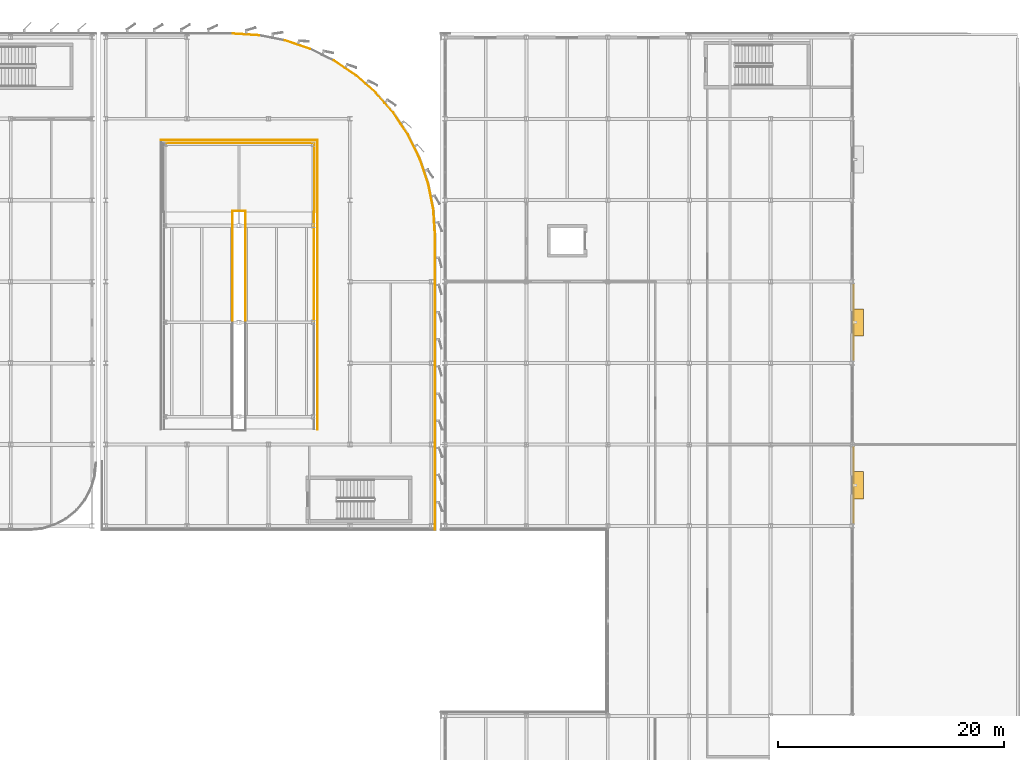
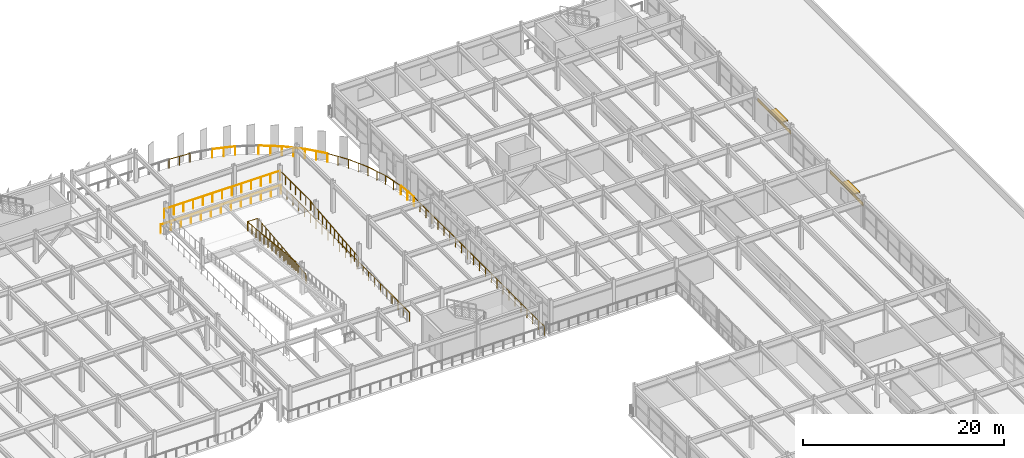
# One storey, part 76 of 80: 22 railings, 2 coverings, 2 shading devices.
"""IFC4 building model written with IfcOpenShell, lengths in metres."""

from ifc_helpers import new_model, si_unit, direction, frame, origin, origin_2d, place, context, subcontext, project, spatial, rectangle, circle, extrude, material, layer, layer_set, type_object, element, save


model = new_model("IFC4")

# Units and contexts
model_context = context("Model", 3, precision=1e-05, world=origin(), true_north=direction((0.0, 1.0)))
body_context = subcontext(model_context, "Body", "Model", "MODEL_VIEW")
ifc_project = project(units=[si_unit("LENGTHUNIT", "METRE"), si_unit("AREAUNIT", "SQUARE_METRE"), si_unit("VOLUMEUNIT", "CUBIC_METRE"), si_unit("PLANEANGLEUNIT", "RADIAN"), si_unit("MASSUNIT", "GRAM", prefix="KILO")], contexts=[model_context])

# Site, building, storey
site_placement = place(None, origin())
site = spatial("IfcSite", under=ifc_project, at=site_placement, CompositionType="ELEMENT")
building_placement = place(site_placement, origin())
building = spatial("IfcBuilding", under=site, at=building_placement, Name="Vaelcorin Mobility Hub", CompositionType="ELEMENT")
storey_placement = place(building_placement, frame((0.0, 0.0, 9.300048828125)))
storey = spatial("IfcBuildingStorey", under=building, at=storey_placement, Name="L02", CompositionType="ELEMENT", Elevation=9.300048828125)

# Coverings
ifc_material_1 = material(Name="Extruded terracotta-bronze rainscreen panel", Category="masonry")
ifc_layer_1 = layer(ifc_material_1, 0.034912109375)
ifc_layer_set_1 = layer_set([ifc_layer_1], Name="Extruded terracotta-bronze rainscreen panel")
covering_type = type_object("IfcCoveringType", Name="COV-CLAD-35", PredefinedType="CLADDING", material=ifc_layer_set_1)
for number, where, z_axis, x_axis, name in (
    (1, (189.739990234375, 80.39990234375, 2.35302734375), (0.0, 0.0, 1.0), (1.0, 0.0, 0.0), "Terracotta-Bronze Facade Cladding L02-09"),
    (2, (189.739990234375, 94.800048828125, 2.35302734375), (0.0, 0.0, 1.0), (1.0, 0.0, 0.0), "Terracotta-Bronze Facade Cladding L02-11"),
):
    element("IfcCovering", number, at=place(storey_placement, frame(where, z_axis=z_axis, x_axis=x_axis)), inside=storey, type_object=covering_type, Name=name, PredefinedType="CLADDING", context=body_context, shape_type="SweptSolid", body=[
        extrude(rectangle(XDim=0.028076171875, YDim=6.60009765625, at=origin_2d()), origin(), (0.0, 0.0, 1.0), 0.449951171875),
    ])

# Railings
ifc_material_2 = material(Name="Galvanised structural steel ASTM A36", Category="steel")
ifc_layer_2 = layer(ifc_material_2, 0.070068359375)
ifc_layer_set_2 = layer_set([ifc_layer_2], Name="Galvanised structural steel ASTM A36")
railing_type = type_object("IfcRailingType", Name="RL-GUARD-1100", PredefinedType="BALUSTRADE", material=ifc_layer_set_2)
railing_1_placement = place(storey_placement, frame((128.47998046875, 110.919921875, 0.0)))
element("IfcRailing", 3, at=railing_1_placement, inside=storey, type_object=railing_type, Name="L02 Perimeter Guard GR-V2E-L02-WELL-02", PredefinedType="BALUSTRADE", context=body_context, shape_type="SweptSolid", body=[
    extrude(circle(Radius=0.02392578125, at=origin_2d()), frame((0.0, 0.0, 1.076171875), z_axis=(1.0, 0.0, 0.0), x_axis=(0.0, 1.0, 0.0)), (0.0, 0.0, 1.0), 13.840087890625),
    extrude(circle(Radius=0.02099609375, at=origin_2d()), origin(), (0.0, 0.0, 1.0), 1.052001953125),
    extrude(circle(Radius=0.02099609375, at=origin_2d()), frame((1.1533203125, 0.0, 0.0)), (0.0, 0.0, 1.0), 1.052001953125),
    extrude(circle(Radius=0.02099609375, at=origin_2d()), frame((2.306640625, 0.0, 0.0)), (0.0, 0.0, 1.0), 1.052001953125),
    extrude(circle(Radius=0.02099609375, at=origin_2d()), frame((3.4599609375, 0.0, 0.0)), (0.0, 0.0, 1.0), 1.052001953125),
    extrude(circle(Radius=0.02099609375, at=origin_2d()), frame((4.61328125, 0.0, 0.0)), (0.0, 0.0, 1.0), 1.052001953125),
    extrude(circle(Radius=0.02099609375, at=origin_2d()), frame((5.7666015625, 0.0, 0.0)), (0.0, 0.0, 1.0), 1.052001953125),
    extrude(circle(Radius=0.02099609375, at=origin_2d()), frame((6.919921875, 0.0, 0.0)), (0.0, 0.0, 1.0), 1.052001953125),
    extrude(circle(Radius=0.02099609375, at=origin_2d()), frame((8.073486328125, 0.0, 0.0)), (0.0, 0.0, 1.0), 1.052001953125),
    extrude(circle(Radius=0.02099609375, at=origin_2d()), frame((9.226806640625, 0.0, 0.0)), (0.0, 0.0, 1.0), 1.052001953125),
    extrude(circle(Radius=0.02099609375, at=origin_2d()), frame((10.380126953125, 0.0, 0.0)), (0.0, 0.0, 1.0), 1.052001953125),
    extrude(circle(Radius=0.02099609375, at=origin_2d()), frame((11.533447265625, 0.0, 0.0)), (0.0, 0.0, 1.0), 1.052001953125),
    extrude(circle(Radius=0.02099609375, at=origin_2d()), frame((12.686767578125, 0.0, 0.0)), (0.0, 0.0, 1.0), 1.052001953125),
    extrude(circle(Radius=0.02099609375, at=origin_2d()), frame((13.840087890625, 0.0, 0.0)), (0.0, 0.0, 1.0), 1.052001953125),
])
railing_2_placement = place(storey_placement, frame((142.320068359375, 110.919921875, 0.0)))
element("IfcRailing", 4, at=railing_2_placement, inside=storey, type_object=railing_type, Name="L02 Perimeter Guard GR-V2E-L02-WELL-03", PredefinedType="BALUSTRADE", context=body_context, shape_type="SweptSolid", body=[
    extrude(circle(Radius=0.02392578125, at=origin_2d()), frame((0.0, 0.0, 1.076171875), z_axis=(0.0, -1.0, 0.0), x_axis=(1.0, 0.0, 0.0)), (0.0, 0.0, 1.0), 25.579833984375),
    extrude(circle(Radius=0.02099609375, at=origin_2d()), origin(), (0.0, 0.0, 1.0), 1.052001953125),
    extrude(circle(Radius=0.02099609375, at=origin_2d()), frame((0.0, -1.16259765625, 0.0)), (0.0, 0.0, 1.0), 1.052001953125),
    extrude(circle(Radius=0.02099609375, at=origin_2d()), frame((0.0, -2.325439453125, 0.0)), (0.0, 0.0, 1.0), 1.052001953125),
    extrude(circle(Radius=0.02099609375, at=origin_2d()), frame((0.0, -3.488037109375, 0.0)), (0.0, 0.0, 1.0), 1.052001953125),
    extrude(circle(Radius=0.02099609375, at=origin_2d()), frame((0.0, -4.65087890625, 0.0)), (0.0, 0.0, 1.0), 1.052001953125),
    extrude(circle(Radius=0.02099609375, at=origin_2d()), frame((0.0, -5.8134765625, 0.0)), (0.0, 0.0, 1.0), 1.052001953125),
    extrude(circle(Radius=0.02099609375, at=origin_2d()), frame((0.0, -6.976318359375, 0.0)), (0.0, 0.0, 1.0), 1.052001953125),
    extrude(circle(Radius=0.02099609375, at=origin_2d()), frame((0.0, -8.13916015625, 0.0)), (0.0, 0.0, 1.0), 1.052001953125),
    extrude(circle(Radius=0.02099609375, at=origin_2d()), frame((0.0, -9.3017578125, 0.0)), (0.0, 0.0, 1.0), 1.052001953125),
    extrude(circle(Radius=0.02099609375, at=origin_2d()), frame((0.0, -10.46435546875, 0.0)), (0.0, 0.0, 1.0), 1.052001953125),
    extrude(circle(Radius=0.02099609375, at=origin_2d()), frame((0.0, -11.627197265625, 0.0)), (0.0, 0.0, 1.0), 1.052001953125),
    extrude(circle(Radius=0.02099609375, at=origin_2d()), frame((0.0, -12.7900390625, 0.0)), (0.0, 0.0, 1.0), 1.052001953125),
    extrude(circle(Radius=0.02099609375, at=origin_2d()), frame((0.0, -13.95263671875, 0.0)), (0.0, 0.0, 1.0), 1.052001953125),
    extrude(circle(Radius=0.02099609375, at=origin_2d()), frame((0.0, -15.115234375, 0.0)), (0.0, 0.0, 1.0), 1.052001953125),
    extrude(circle(Radius=0.02099609375, at=origin_2d()), frame((0.0, -16.278076171875, 0.0)), (0.0, 0.0, 1.0), 1.052001953125),
    extrude(circle(Radius=0.02099609375, at=origin_2d()), frame((0.0, -17.44091796875, 0.0)), (0.0, 0.0, 1.0), 1.052001953125),
    extrude(circle(Radius=0.02099609375, at=origin_2d()), frame((0.0, -18.603515625, 0.0)), (0.0, 0.0, 1.0), 1.052001953125),
    extrude(circle(Radius=0.02099609375, at=origin_2d()), frame((0.0, -19.76611328125, 0.0)), (0.0, 0.0, 1.0), 1.052001953125),
    extrude(circle(Radius=0.02099609375, at=origin_2d()), frame((0.0, -20.928955078125, 0.0)), (0.0, 0.0, 1.0), 1.052001953125),
    extrude(circle(Radius=0.02099609375, at=origin_2d()), frame((0.0, -22.091796875, 0.0)), (0.0, 0.0, 1.0), 1.052001953125),
    extrude(circle(Radius=0.02099609375, at=origin_2d()), frame((0.0, -23.25439453125, 0.0)), (0.0, 0.0, 1.0), 1.052001953125),
    extrude(circle(Radius=0.02099609375, at=origin_2d()), frame((0.0, -24.4169921875, 0.0)), (0.0, 0.0, 1.0), 1.052001953125),
    extrude(circle(Radius=0.02099609375, at=origin_2d()), frame((0.0, -25.579833984375, 0.0)), (0.0, 0.0, 1.0), 1.052001953125),
])
railing_3_placement = place(storey_placement, frame((135.97998046875, 94.949951171875, 0.974853515625)))
element("IfcRailing", 5, at=railing_3_placement, inside=storey, type_object=railing_type, Name="L02 Ramp Guard GR-V2E-L02-FL1-W-03", PredefinedType="BALUSTRADE", context=body_context, shape_type="SweptSolid", body=[
    extrude(circle(Radius=0.02392578125, at=origin_2d()), frame((0.0, 0.0, 1.076171875), z_axis=(0.0, 0.994881014515, 0.101053287712), x_axis=(-1.0, 0.0, 0.0)), (0.0, 0.0, 1.0), 4.81982421875),
    extrude(circle(Radius=0.02099609375, at=origin_2d()), origin(), (0.0, 0.0, 1.0), 1.052001953125),
    extrude(circle(Radius=0.02099609375, at=origin_2d()), frame((0.0, 0.79931640625, 0.0810546875)), (0.0, 0.0, 1.0), 1.052001953125),
    extrude(circle(Radius=0.02099609375, at=origin_2d()), frame((0.0, 1.598388671875, 0.162353515625)), (0.0, 0.0, 1.0), 1.052001953125),
    extrude(circle(Radius=0.02099609375, at=origin_2d()), frame((0.0, 2.3974609375, 0.24365234375)), (0.0, 0.0, 1.0), 1.052001953125),
    extrude(circle(Radius=0.02099609375, at=origin_2d()), frame((0.0, 3.19677734375, 0.32470703125)), (0.0, 0.0, 1.0), 1.052001953125),
    extrude(circle(Radius=0.02099609375, at=origin_2d()), frame((0.0, 3.99609375, 0.40576171875)), (0.0, 0.0, 1.0), 1.052001953125),
    extrude(circle(Radius=0.02099609375, at=origin_2d()), frame((0.0, 4.795166015625, 0.487060546875)), (0.0, 0.0, 1.0), 1.052001953125),
])
railing_4_placement = place(storey_placement, frame((135.97998046875, 99.7451171875, 1.4619140625)))
element("IfcRailing", 6, at=railing_4_placement, inside=storey, type_object=railing_type, Name="L02 Ramp Guard GR-V2E-L02-FL1-W-04", PredefinedType="BALUSTRADE", context=body_context, shape_type="SweptSolid", body=[
    extrude(circle(Radius=0.02392578125, at=origin_2d()), frame((0.0, 0.0, 1.076171875), z_axis=(0.0, 0.994860105467, 0.10125892825), x_axis=(-1.0, 0.0, 0.0)), (0.0, 0.0, 1.0), 4.819580078125),
    extrude(circle(Radius=0.02099609375, at=origin_2d()), origin(), (0.0, 0.0, 1.0), 1.052001953125),
    extrude(circle(Radius=0.02099609375, at=origin_2d()), frame((0.0, 0.799072265625, 0.081298828125)), (0.0, 0.0, 1.0), 1.052001953125),
    extrude(circle(Radius=0.02099609375, at=origin_2d()), frame((0.0, 1.598388671875, 0.16259765625)), (0.0, 0.0, 1.0), 1.052001953125),
    extrude(circle(Radius=0.02099609375, at=origin_2d()), frame((0.0, 2.3974609375, 0.244140625)), (0.0, 0.0, 1.0), 1.052001953125),
    extrude(circle(Radius=0.02099609375, at=origin_2d()), frame((0.0, 3.196533203125, 0.325439453125)), (0.0, 0.0, 1.0), 1.052001953125),
    extrude(circle(Radius=0.02099609375, at=origin_2d()), frame((0.0, 3.995849609375, 0.40673828125)), (0.0, 0.0, 1.0), 1.052001953125),
    extrude(circle(Radius=0.02099609375, at=origin_2d()), frame((0.0, 4.794921875, 0.488037109375)), (0.0, 0.0, 1.0), 1.052001953125),
])
railing_5_placement = place(storey_placement, frame((142.02001953125, 94.949951171875, 0.974853515625)))
element("IfcRailing", 7, at=railing_5_placement, inside=storey, type_object=railing_type, Name="L02 Ramp Guard GR-V2E-L02-FL1-E-03", PredefinedType="BALUSTRADE", context=body_context, shape_type="SweptSolid", body=[
    extrude(circle(Radius=0.02392578125, at=origin_2d()), frame((0.0, 0.0, 1.076171875), z_axis=(0.0, 0.994881014515, 0.101053287712), x_axis=(-1.0, 0.0, 0.0)), (0.0, 0.0, 1.0), 4.81982421875),
    extrude(circle(Radius=0.02099609375, at=origin_2d()), origin(), (0.0, 0.0, 1.0), 1.052001953125),
    extrude(circle(Radius=0.02099609375, at=origin_2d()), frame((0.0, 0.79931640625, 0.0810546875)), (0.0, 0.0, 1.0), 1.052001953125),
    extrude(circle(Radius=0.02099609375, at=origin_2d()), frame((0.0, 1.598388671875, 0.162353515625)), (0.0, 0.0, 1.0), 1.052001953125),
    extrude(circle(Radius=0.02099609375, at=origin_2d()), frame((0.0, 2.3974609375, 0.24365234375)), (0.0, 0.0, 1.0), 1.052001953125),
    extrude(circle(Radius=0.02099609375, at=origin_2d()), frame((0.0, 3.19677734375, 0.32470703125)), (0.0, 0.0, 1.0), 1.052001953125),
    extrude(circle(Radius=0.02099609375, at=origin_2d()), frame((0.0, 3.99609375, 0.40576171875)), (0.0, 0.0, 1.0), 1.052001953125),
    extrude(circle(Radius=0.02099609375, at=origin_2d()), frame((0.0, 4.795166015625, 0.487060546875)), (0.0, 0.0, 1.0), 1.052001953125),
])
railing_6_placement = place(storey_placement, frame((142.02001953125, 99.7451171875, 1.4619140625)))
element("IfcRailing", 8, at=railing_6_placement, inside=storey, type_object=railing_type, Name="L02 Ramp Guard GR-V2E-L02-FL1-E-04", PredefinedType="BALUSTRADE", context=body_context, shape_type="SweptSolid", body=[
    extrude(circle(Radius=0.02392578125, at=origin_2d()), frame((0.0, 0.0, 1.076171875), z_axis=(0.0, 0.994860105467, 0.10125892825), x_axis=(-1.0, 0.0, 0.0)), (0.0, 0.0, 1.0), 4.819580078125),
    extrude(circle(Radius=0.02099609375, at=origin_2d()), origin(), (0.0, 0.0, 1.0), 1.052001953125),
    extrude(circle(Radius=0.02099609375, at=origin_2d()), frame((0.0, 0.799072265625, 0.081298828125)), (0.0, 0.0, 1.0), 1.052001953125),
    extrude(circle(Radius=0.02099609375, at=origin_2d()), frame((0.0, 1.598388671875, 0.16259765625)), (0.0, 0.0, 1.0), 1.052001953125),
    extrude(circle(Radius=0.02099609375, at=origin_2d()), frame((0.0, 2.3974609375, 0.244140625)), (0.0, 0.0, 1.0), 1.052001953125),
    extrude(circle(Radius=0.02099609375, at=origin_2d()), frame((0.0, 3.196533203125, 0.325439453125)), (0.0, 0.0, 1.0), 1.052001953125),
    extrude(circle(Radius=0.02099609375, at=origin_2d()), frame((0.0, 3.995849609375, 0.40673828125)), (0.0, 0.0, 1.0), 1.052001953125),
    extrude(circle(Radius=0.02099609375, at=origin_2d()), frame((0.0, 4.794921875, 0.488037109375)), (0.0, 0.0, 1.0), 1.052001953125),
])
railing_7_placement = place(storey_placement, frame((134.820068359375, 104.5400390625, 1.949951171875)))
element("IfcRailing", 9, at=railing_7_placement, inside=storey, type_object=railing_type, Name="L02 Ramp Guard GR-V2E-L02-FL2-E-01", PredefinedType="BALUSTRADE", context=body_context, shape_type="SweptSolid", body=[
    extrude(circle(Radius=0.02392578125, at=origin_2d()), frame((0.0, 0.0, 1.076171875), z_axis=(0.0, -0.994860105467, 0.10125892825), x_axis=(1.0, 0.0, 0.0)), (0.0, 0.0, 1.0), 4.819580078125),
    extrude(circle(Radius=0.02099609375, at=origin_2d()), origin(), (0.0, 0.0, 1.0), 1.052001953125),
    extrude(circle(Radius=0.02099609375, at=origin_2d()), frame((0.0, -0.799072265625, 0.081298828125)), (0.0, 0.0, 1.0), 1.052001953125),
    extrude(circle(Radius=0.02099609375, at=origin_2d()), frame((0.0, -1.598388671875, 0.16259765625)), (0.0, 0.0, 1.0), 1.052001953125),
    extrude(circle(Radius=0.02099609375, at=origin_2d()), frame((0.0, -2.3974609375, 0.244140625)), (0.0, 0.0, 1.0), 1.052001953125),
    extrude(circle(Radius=0.02099609375, at=origin_2d()), frame((0.0, -3.196533203125, 0.325439453125)), (0.0, 0.0, 1.0), 1.052001953125),
    extrude(circle(Radius=0.02099609375, at=origin_2d()), frame((0.0, -3.995849609375, 0.40673828125)), (0.0, 0.0, 1.0), 1.052001953125),
    extrude(circle(Radius=0.02099609375, at=origin_2d()), frame((0.0, -4.794921875, 0.488037109375)), (0.0, 0.0, 1.0), 1.052001953125),
])
railing_8_placement = place(storey_placement, frame((134.820068359375, 99.7451171875, 2.43798828125)))
element("IfcRailing", 10, at=railing_8_placement, inside=storey, type_object=railing_type, Name="L02 Ramp Guard GR-V2E-L02-FL2-E-02", PredefinedType="BALUSTRADE", context=body_context, shape_type="SweptSolid", body=[
    extrude(circle(Radius=0.02392578125, at=origin_2d()), frame((0.0, 0.0, 1.076171875), z_axis=(0.0, -0.994881014515, 0.101053287712), x_axis=(1.0, 0.0, 0.0)), (0.0, 0.0, 1.0), 4.81982421875),
    extrude(circle(Radius=0.02099609375, at=origin_2d()), origin(), (0.0, 0.0, 1.0), 1.052001953125),
    extrude(circle(Radius=0.02099609375, at=origin_2d()), frame((0.0, -0.79931640625, 0.0810546875)), (0.0, 0.0, 1.0), 1.052001953125),
    extrude(circle(Radius=0.02099609375, at=origin_2d()), frame((0.0, -1.598388671875, 0.162353515625)), (0.0, 0.0, 1.0), 1.052001953125),
    extrude(circle(Radius=0.02099609375, at=origin_2d()), frame((0.0, -2.3974609375, 0.24365234375)), (0.0, 0.0, 1.0), 1.052001953125),
    extrude(circle(Radius=0.02099609375, at=origin_2d()), frame((0.0, -3.19677734375, 0.32470703125)), (0.0, 0.0, 1.0), 1.052001953125),
    extrude(circle(Radius=0.02099609375, at=origin_2d()), frame((0.0, -3.99609375, 0.40576171875)), (0.0, 0.0, 1.0), 1.052001953125),
    extrude(circle(Radius=0.02099609375, at=origin_2d()), frame((0.0, -4.795166015625, 0.487060546875)), (0.0, 0.0, 1.0), 1.052001953125),
])
railing_9_placement = place(storey_placement, frame((128.72998046875, 110.669921875, 1.949951171875)))
element("IfcRailing", 11, at=railing_9_placement, inside=storey, type_object=railing_type, Name="L02 Perimeter Guard GR-V2E-L02-LND-02", PredefinedType="BALUSTRADE", context=body_context, shape_type="SweptSolid", body=[
    extrude(circle(Radius=0.02392578125, at=origin_2d()), frame((0.0, 0.0, 1.076171875), z_axis=(1.0, 0.0, 0.0), x_axis=(0.0, 1.0, 0.0)), (0.0, 0.0, 1.0), 13.340087890625),
    extrude(circle(Radius=0.02099609375, at=origin_2d()), origin(), (0.0, 0.0, 1.0), 1.052001953125),
    extrude(circle(Radius=0.02099609375, at=origin_2d()), frame((1.111572265625, 0.0, 0.0)), (0.0, 0.0, 1.0), 1.052001953125),
    extrude(circle(Radius=0.02099609375, at=origin_2d()), frame((2.223388671875, 0.0, 0.0)), (0.0, 0.0, 1.0), 1.052001953125),
    extrude(circle(Radius=0.02099609375, at=origin_2d()), frame((3.3349609375, 0.0, 0.0)), (0.0, 0.0, 1.0), 1.052001953125),
    extrude(circle(Radius=0.02099609375, at=origin_2d()), frame((4.44677734375, 0.0, 0.0)), (0.0, 0.0, 1.0), 1.052001953125),
    extrude(circle(Radius=0.02099609375, at=origin_2d()), frame((5.558349609375, 0.0, 0.0)), (0.0, 0.0, 1.0), 1.052001953125),
    extrude(circle(Radius=0.02099609375, at=origin_2d()), frame((6.669921875, 0.0, 0.0)), (0.0, 0.0, 1.0), 1.052001953125),
    extrude(circle(Radius=0.02099609375, at=origin_2d()), frame((7.78173828125, 0.0, 0.0)), (0.0, 0.0, 1.0), 1.052001953125),
    extrude(circle(Radius=0.02099609375, at=origin_2d()), frame((8.893310546875, 0.0, 0.0)), (0.0, 0.0, 1.0), 1.052001953125),
    extrude(circle(Radius=0.02099609375, at=origin_2d()), frame((10.005126953125, 0.0, 0.0)), (0.0, 0.0, 1.0), 1.052001953125),
    extrude(circle(Radius=0.02099609375, at=origin_2d()), frame((11.11669921875, 0.0, 0.0)), (0.0, 0.0, 1.0), 1.052001953125),
    extrude(circle(Radius=0.02099609375, at=origin_2d()), frame((12.228515625, 0.0, 0.0)), (0.0, 0.0, 1.0), 1.052001953125),
    extrude(circle(Radius=0.02099609375, at=origin_2d()), frame((13.340087890625, 0.0, 0.0)), (0.0, 0.0, 1.0), 1.052001953125),
])
railing_10_placement = place(storey_placement, frame((142.070068359375, 110.669921875, 1.949951171875)))
element("IfcRailing", 12, at=railing_10_placement, inside=storey, type_object=railing_type, Name="L02 Perimeter Guard GR-V2E-L02-LND-03", PredefinedType="BALUSTRADE", context=body_context, shape_type="SweptSolid", body=[
    extrude(circle(Radius=0.02392578125, at=origin_2d()), frame((0.0, 0.0, 1.076171875), z_axis=(0.0, -1.0, 0.0), x_axis=(1.0, 0.0, 0.0)), (0.0, 0.0, 1.0), 6.10986328125),
    extrude(circle(Radius=0.02099609375, at=origin_2d()), origin(), (0.0, 0.0, 1.0), 1.052001953125),
    extrude(circle(Radius=0.02099609375, at=origin_2d()), frame((0.0, -1.018310546875, 0.0)), (0.0, 0.0, 1.0), 1.052001953125),
    extrude(circle(Radius=0.02099609375, at=origin_2d()), frame((0.0, -2.03662109375, 0.0)), (0.0, 0.0, 1.0), 1.052001953125),
    extrude(circle(Radius=0.02099609375, at=origin_2d()), frame((0.0, -3.054931640625, 0.0)), (0.0, 0.0, 1.0), 1.052001953125),
    extrude(circle(Radius=0.02099609375, at=origin_2d()), frame((0.0, -4.0732421875, 0.0)), (0.0, 0.0, 1.0), 1.052001953125),
    extrude(circle(Radius=0.02099609375, at=origin_2d()), frame((0.0, -5.091552734375, 0.0)), (0.0, 0.0, 1.0), 1.052001953125),
    extrude(circle(Radius=0.02099609375, at=origin_2d()), frame((0.0, -6.10986328125, 0.0)), (0.0, 0.0, 1.0), 1.052001953125),
])
railing_11_placement = place(storey_placement, frame((134.820068359375, 104.639892578125, 1.949951171875)))
element("IfcRailing", 13, at=railing_11_placement, inside=storey, type_object=railing_type, Name="L02 Perimeter Guard GR-V2E-L02-LND-MED-01", PredefinedType="BALUSTRADE", context=body_context, shape_type="SweptSolid", body=[
    extrude(circle(Radius=0.02392578125, at=origin_2d()), frame((0.0, 0.0, 1.076171875), z_axis=(1.0, 0.0, 0.0), x_axis=(0.0, 1.0, 0.0)), (0.0, 0.0, 1.0), 1.159912109375),
    extrude(circle(Radius=0.02099609375, at=origin_2d()), origin(), (0.0, 0.0, 1.0), 1.052001953125),
    extrude(circle(Radius=0.02099609375, at=origin_2d()), frame((1.159912109375, 0.0, 0.0)), (0.0, 0.0, 1.0), 1.052001953125),
])
railing_12_placement = place(storey_placement, frame((134.85009765625, 120.330078125, 0.0)))
element("IfcRailing", 14, at=railing_12_placement, inside=storey, type_object=railing_type, Name="L02 Perimeter Guard GR-V2E-L02-02", PredefinedType="BALUSTRADE", context=body_context, shape_type="SweptSolid", body=[
    extrude(circle(Radius=0.02392578125, at=origin_2d()), frame((0.0, 0.0, 1.076171875), z_axis=(0.99785616691, -0.065445169106, 0.0), x_axis=(0.065445169106, 0.99785616691, 0.0)), (0.0, 0.0, 1.0), 2.339111328125),
    extrude(circle(Radius=0.02099609375, at=origin_2d()), origin(), (0.0, 0.0, 1.0), 1.052001953125),
    extrude(circle(Radius=0.02099609375, at=origin_2d()), frame((1.1669921875, -0.07666015625, 0.0)), (0.0, 0.0, 1.0), 1.052001953125),
    extrude(circle(Radius=0.02099609375, at=origin_2d()), frame((2.333984375, -0.153076171875, 0.0)), (0.0, 0.0, 1.0), 1.052001953125),
])
railing_13_placement = place(storey_placement, frame((139.47802734375, 119.720947265625, 0.0)))
element("IfcRailing", 15, at=railing_13_placement, inside=storey, type_object=railing_type, Name="L02 Perimeter Guard GR-V2E-L02-04", PredefinedType="BALUSTRADE", context=body_context, shape_type="SweptSolid", body=[
    extrude(circle(Radius=0.02392578125, at=origin_2d()), frame((0.0, 0.0, 1.076171875), z_axis=(0.946871989611, -0.321610689017, 0.0), x_axis=(0.321610689017, 0.946871989611, 0.0)), (0.0, 0.0, 1.0), 2.338134765625),
    extrude(circle(Radius=0.02099609375, at=origin_2d()), origin(), (0.0, 0.0, 1.0), 1.052001953125),
    extrude(circle(Radius=0.02099609375, at=origin_2d()), frame((1.10693359375, -0.3759765625, 0.0)), (0.0, 0.0, 1.0), 1.052001953125),
    extrude(circle(Radius=0.02099609375, at=origin_2d()), frame((2.2138671875, -0.751953125, 0.0)), (0.0, 0.0, 1.0), 1.052001953125),
])
railing_14_placement = place(storey_placement, frame((143.7900390625, 117.93505859375, 0.0)))
element("IfcRailing", 16, at=railing_14_placement, inside=storey, type_object=railing_type, Name="L02 Perimeter Guard GR-V2E-L02-06", PredefinedType="BALUSTRADE", context=body_context, shape_type="SweptSolid", body=[
    extrude(circle(Radius=0.02392578125, at=origin_2d()), frame((0.0, 0.0, 1.076171875), z_axis=(0.831391473095, -0.555687158809, 0.0), x_axis=(0.555687158809, 0.831391473095, 0.0)), (0.0, 0.0, 1.0), 2.339599609375),
    extrude(circle(Radius=0.02099609375, at=origin_2d()), origin(), (0.0, 0.0, 1.0), 1.052001953125),
    extrude(circle(Radius=0.02099609375, at=origin_2d()), frame((0.97265625, -0.64990234375, 0.0)), (0.0, 0.0, 1.0), 1.052001953125),
    extrude(circle(Radius=0.02099609375, at=origin_2d()), frame((1.945068359375, -1.300048828125, 0.0)), (0.0, 0.0, 1.0), 1.052001953125),
])
railing_15_placement = place(storey_placement, frame((145.735107421875, 116.635009765625, 0.0)))
element("IfcRailing", 17, at=railing_15_placement, inside=storey, type_object=railing_type, Name="L02 Perimeter Guard GR-V2E-L02-07", PredefinedType="BALUSTRADE", context=body_context, shape_type="SweptSolid", body=[
    extrude(circle(Radius=0.02392578125, at=origin_2d()), frame((0.0, 0.0, 1.076171875), z_axis=(0.751748215972, -0.659450240566, 0.0), x_axis=(0.659450240566, 0.751748215972, 0.0)), (0.0, 0.0, 1.0), 2.33837890625),
    extrude(circle(Radius=0.02099609375, at=origin_2d()), origin(), (0.0, 0.0, 1.0), 1.052001953125),
    extrude(circle(Radius=0.02099609375, at=origin_2d()), frame((0.87890625, -0.77099609375, 0.0)), (0.0, 0.0, 1.0), 1.052001953125),
    extrude(circle(Radius=0.02099609375, at=origin_2d()), frame((1.7578125, -1.5419921875, 0.0)), (0.0, 0.0, 1.0), 1.052001953125),
])
railing_16_placement = place(storey_placement, frame((147.492919921875, 115.093017578125, 0.0)))
element("IfcRailing", 18, at=railing_16_placement, inside=storey, type_object=railing_type, Name="L02 Perimeter Guard GR-V2E-L02-08", PredefinedType="BALUSTRADE", context=body_context, shape_type="SweptSolid", body=[
    extrude(circle(Radius=0.02392578125, at=origin_2d()), frame((0.0, 0.0, 1.076171875), z_axis=(0.659398483057, -0.751793615657, 0.0), x_axis=(0.751793615657, 0.659398483057, 0.0)), (0.0, 0.0, 1.0), 2.33837890625),
    extrude(circle(Radius=0.02099609375, at=origin_2d()), origin(), (0.0, 0.0, 1.0), 1.052001953125),
    extrude(circle(Radius=0.02099609375, at=origin_2d()), frame((0.77099609375, -0.87890625, 0.0)), (0.0, 0.0, 1.0), 1.052001953125),
    extrude(circle(Radius=0.02099609375, at=origin_2d()), frame((1.5419921875, -1.758056640625, 0.0)), (0.0, 0.0, 1.0), 1.052001953125),
])
railing_17_placement = place(storey_placement, frame((149.034912109375, 113.3349609375, 0.0)))
element("IfcRailing", 19, at=railing_17_placement, inside=storey, type_object=railing_type, Name="L02 Perimeter Guard GR-V2E-L02-09", PredefinedType="BALUSTRADE", context=body_context, shape_type="SweptSolid", body=[
    extrude(circle(Radius=0.02392578125, at=origin_2d()), frame((0.0, 0.0, 1.076171875), z_axis=(0.555687158809, -0.831391473095, 0.0), x_axis=(0.831391473095, 0.555687158809, 0.0)), (0.0, 0.0, 1.0), 2.339599609375),
    extrude(circle(Radius=0.02099609375, at=origin_2d()), origin(), (0.0, 0.0, 1.0), 1.052001953125),
    extrude(circle(Radius=0.02099609375, at=origin_2d()), frame((0.64990234375, -0.97265625, 0.0)), (0.0, 0.0, 1.0), 1.052001953125),
    extrude(circle(Radius=0.02099609375, at=origin_2d()), frame((1.300048828125, -1.945068359375, 0.0)), (0.0, 0.0, 1.0), 1.052001953125),
])
railing_18_placement = place(storey_placement, frame((150.3349609375, 111.389892578125, 0.0)))
element("IfcRailing", 20, at=railing_18_placement, inside=storey, type_object=railing_type, Name="L02 Perimeter Guard GR-V2E-L02-10", PredefinedType="BALUSTRADE", context=body_context, shape_type="SweptSolid", body=[
    extrude(circle(Radius=0.02392578125, at=origin_2d()), frame((0.0, 0.0, 1.076171875), z_axis=(0.442070481095, -0.896980317367, 0.0), x_axis=(0.896980317367, 0.442070481095, 0.0)), (0.0, 0.0, 1.0), 2.3388671875),
    extrude(circle(Radius=0.02099609375, at=origin_2d()), origin(), (0.0, 0.0, 1.0), 1.052001953125),
    extrude(circle(Radius=0.02099609375, at=origin_2d()), frame((0.51708984375, -1.048828125, 0.0)), (0.0, 0.0, 1.0), 1.052001953125),
    extrude(circle(Radius=0.02099609375, at=origin_2d()), frame((1.033935546875, -2.097900390625, 0.0)), (0.0, 0.0, 1.0), 1.052001953125),
])
railing_19_placement = place(storey_placement, frame((151.368896484375, 109.2919921875, 0.0)))
element("IfcRailing", 21, at=railing_19_placement, inside=storey, type_object=railing_type, Name="L02 Perimeter Guard GR-V2E-L02-11", PredefinedType="BALUSTRADE", context=body_context, shape_type="SweptSolid", body=[
    extrude(circle(Radius=0.02392578125, at=origin_2d()), frame((0.0, 0.0, 1.076171875), z_axis=(0.321672500653, -0.946850992672, 0.0), x_axis=(0.946850992672, 0.321672500653, 0.0)), (0.0, 0.0, 1.0), 2.33837890625),
    extrude(circle(Radius=0.02099609375, at=origin_2d()), origin(), (0.0, 0.0, 1.0), 1.052001953125),
    extrude(circle(Radius=0.02099609375, at=origin_2d()), frame((0.3759765625, -1.10693359375, 0.0)), (0.0, 0.0, 1.0), 1.052001953125),
    extrude(circle(Radius=0.02099609375, at=origin_2d()), frame((0.752197265625, -2.214111328125, 0.0)), (0.0, 0.0, 1.0), 1.052001953125),
])
railing_20_placement = place(storey_placement, frame((152.12109375, 107.077880859375, 0.0)))
element("IfcRailing", 22, at=railing_20_placement, inside=storey, type_object=railing_type, Name="L02 Perimeter Guard GR-V2E-L02-12", PredefinedType="BALUSTRADE", context=body_context, shape_type="SweptSolid", body=[
    extrude(circle(Radius=0.02392578125, at=origin_2d()), frame((0.0, 0.0, 1.076171875), z_axis=(0.194891436706, -0.980824820189, 0.0), x_axis=(0.980824820189, 0.194891436706, 0.0)), (0.0, 0.0, 1.0), 2.3388671875),
    extrude(circle(Radius=0.02099609375, at=origin_2d()), origin(), (0.0, 0.0, 1.0), 1.052001953125),
    extrude(circle(Radius=0.02099609375, at=origin_2d()), frame((0.22802734375, -1.14697265625, 0.0)), (0.0, 0.0, 1.0), 1.052001953125),
    extrude(circle(Radius=0.02099609375, at=origin_2d()), frame((0.455810546875, -2.2939453125, 0.0)), (0.0, 0.0, 1.0), 1.052001953125),
])
railing_21_placement = place(storey_placement, frame((152.576904296875, 104.783935546875, 0.0)))
element("IfcRailing", 23, at=railing_21_placement, inside=storey, type_object=railing_type, Name="L02 Perimeter Guard GR-V2E-L02-13", PredefinedType="BALUSTRADE", context=body_context, shape_type="SweptSolid", body=[
    extrude(circle(Radius=0.02392578125, at=origin_2d()), frame((0.0, 0.0, 1.076171875), z_axis=(0.065445169106, -0.99785616691, 0.0), x_axis=(0.99785616691, 0.065445169106, 0.0)), (0.0, 0.0, 1.0), 2.339111328125),
    extrude(circle(Radius=0.02099609375, at=origin_2d()), origin(), (0.0, 0.0, 1.0), 1.052001953125),
    extrude(circle(Radius=0.02099609375, at=origin_2d()), frame((0.07666015625, -1.1669921875, 0.0)), (0.0, 0.0, 1.0), 1.052001953125),
    extrude(circle(Radius=0.02099609375, at=origin_2d()), frame((0.153076171875, -2.333984375, 0.0)), (0.0, 0.0, 1.0), 1.052001953125),
])
railing_22_placement = place(storey_placement, frame((152.72998046875, 102.449951171875, 0.0)))
element("IfcRailing", 24, at=railing_22_placement, inside=storey, type_object=railing_type, Name="L02 Perimeter Guard GR-V2E-L02-14", PredefinedType="BALUSTRADE", context=body_context, shape_type="SweptSolid", body=[
    extrude(circle(Radius=0.02392578125, at=origin_2d()), frame((0.0, 0.0, 1.076171875), z_axis=(0.0, -1.0, 0.0), x_axis=(1.0, 0.0, 0.0)), (0.0, 0.0, 1.0), 25.97998046875),
    extrude(circle(Radius=0.02099609375, at=origin_2d()), origin(), (0.0, 0.0, 1.0), 1.052001953125),
    extrude(circle(Radius=0.02099609375, at=origin_2d()), frame((0.0, -1.180908203125, 0.0)), (0.0, 0.0, 1.0), 1.052001953125),
    extrude(circle(Radius=0.02099609375, at=origin_2d()), frame((0.0, -2.36181640625, 0.0)), (0.0, 0.0, 1.0), 1.052001953125),
    extrude(circle(Radius=0.02099609375, at=origin_2d()), frame((0.0, -3.542724609375, 0.0)), (0.0, 0.0, 1.0), 1.052001953125),
    extrude(circle(Radius=0.02099609375, at=origin_2d()), frame((0.0, -4.7236328125, 0.0)), (0.0, 0.0, 1.0), 1.052001953125),
    extrude(circle(Radius=0.02099609375, at=origin_2d()), frame((0.0, -5.904541015625, 0.0)), (0.0, 0.0, 1.0), 1.052001953125),
    extrude(circle(Radius=0.02099609375, at=origin_2d()), frame((0.0, -7.08544921875, 0.0)), (0.0, 0.0, 1.0), 1.052001953125),
    extrude(circle(Radius=0.02099609375, at=origin_2d()), frame((0.0, -8.266357421875, 0.0)), (0.0, 0.0, 1.0), 1.052001953125),
    extrude(circle(Radius=0.02099609375, at=origin_2d()), frame((0.0, -9.447265625, 0.0)), (0.0, 0.0, 1.0), 1.052001953125),
    extrude(circle(Radius=0.02099609375, at=origin_2d()), frame((0.0, -10.628173828125, 0.0)), (0.0, 0.0, 1.0), 1.052001953125),
    extrude(circle(Radius=0.02099609375, at=origin_2d()), frame((0.0, -11.80908203125, 0.0)), (0.0, 0.0, 1.0), 1.052001953125),
    extrude(circle(Radius=0.02099609375, at=origin_2d()), frame((0.0, -12.989990234375, 0.0)), (0.0, 0.0, 1.0), 1.052001953125),
    extrude(circle(Radius=0.02099609375, at=origin_2d()), frame((0.0, -14.1708984375, 0.0)), (0.0, 0.0, 1.0), 1.052001953125),
    extrude(circle(Radius=0.02099609375, at=origin_2d()), frame((0.0, -15.351806640625, 0.0)), (0.0, 0.0, 1.0), 1.052001953125),
    extrude(circle(Radius=0.02099609375, at=origin_2d()), frame((0.0, -16.53271484375, 0.0)), (0.0, 0.0, 1.0), 1.052001953125),
    extrude(circle(Radius=0.02099609375, at=origin_2d()), frame((0.0, -17.713623046875, 0.0)), (0.0, 0.0, 1.0), 1.052001953125),
    extrude(circle(Radius=0.02099609375, at=origin_2d()), frame((0.0, -18.89453125, 0.0)), (0.0, 0.0, 1.0), 1.052001953125),
    extrude(circle(Radius=0.02099609375, at=origin_2d()), frame((0.0, -20.075439453125, 0.0)), (0.0, 0.0, 1.0), 1.052001953125),
    extrude(circle(Radius=0.02099609375, at=origin_2d()), frame((0.0, -21.25634765625, 0.0)), (0.0, 0.0, 1.0), 1.052001953125),
    extrude(circle(Radius=0.02099609375, at=origin_2d()), frame((0.0, -22.437255859375, 0.0)), (0.0, 0.0, 1.0), 1.052001953125),
    extrude(circle(Radius=0.02099609375, at=origin_2d()), frame((0.0, -23.6181640625, 0.0)), (0.0, 0.0, 1.0), 1.052001953125),
    extrude(circle(Radius=0.02099609375, at=origin_2d()), frame((0.0, -24.799072265625, 0.0)), (0.0, 0.0, 1.0), 1.052001953125),
    extrude(circle(Radius=0.02099609375, at=origin_2d()), frame((0.0, -25.97998046875, 0.0)), (0.0, 0.0, 1.0), 1.052001953125),
])

# Shading devices
ifc_material_3 = material(Name="Perforated terracotta-bronze aluminium aerofoil", Category="masonry")
shading_device_type_1 = type_object("IfcShadingDeviceType", Name="SHD-JAL-1", PredefinedType="JALOUSIE", material=ifc_material_3)
shading_device_1_placement = place(storey_placement, frame((190.14990234375, 80.39990234375, 2.408203125), z_axis=(0.0, 0.0, 1.0), x_axis=(1.0, 0.0, 0.0)))
element("IfcShadingDevice", 25, at=shading_device_1_placement, inside=storey, type_object=shading_device_type_1, Name="Jalousie Sun-Hood L02-09", PredefinedType="JALOUSIE", context=body_context, shape_type="SweptSolid", body=[
    extrude(rectangle(XDim=0.89990234375, YDim=2.39990234375, at=origin_2d()), origin(), (0.0, 0.0, 1.0), 0.139892578125),
])
shading_device_type_2 = type_object("IfcShadingDeviceType", Name="SHD-JAL-2", PredefinedType="JALOUSIE", material=ifc_material_3)
shading_device_2_placement = place(storey_placement, frame((190.14990234375, 94.800048828125, 2.408203125), z_axis=(0.0, 0.0, 1.0), x_axis=(1.0, 0.0, 0.0)))
element("IfcShadingDevice", 26, at=shading_device_2_placement, inside=storey, type_object=shading_device_type_2, Name="Jalousie Sun-Hood L02-11", PredefinedType="JALOUSIE", context=body_context, shape_type="SweptSolid", body=[
    extrude(rectangle(XDim=0.89990234375, YDim=2.39990234375, at=origin_2d()), origin(), (0.0, 0.0, 1.0), 0.139892578125),
])

save(model, "model.ifc")
